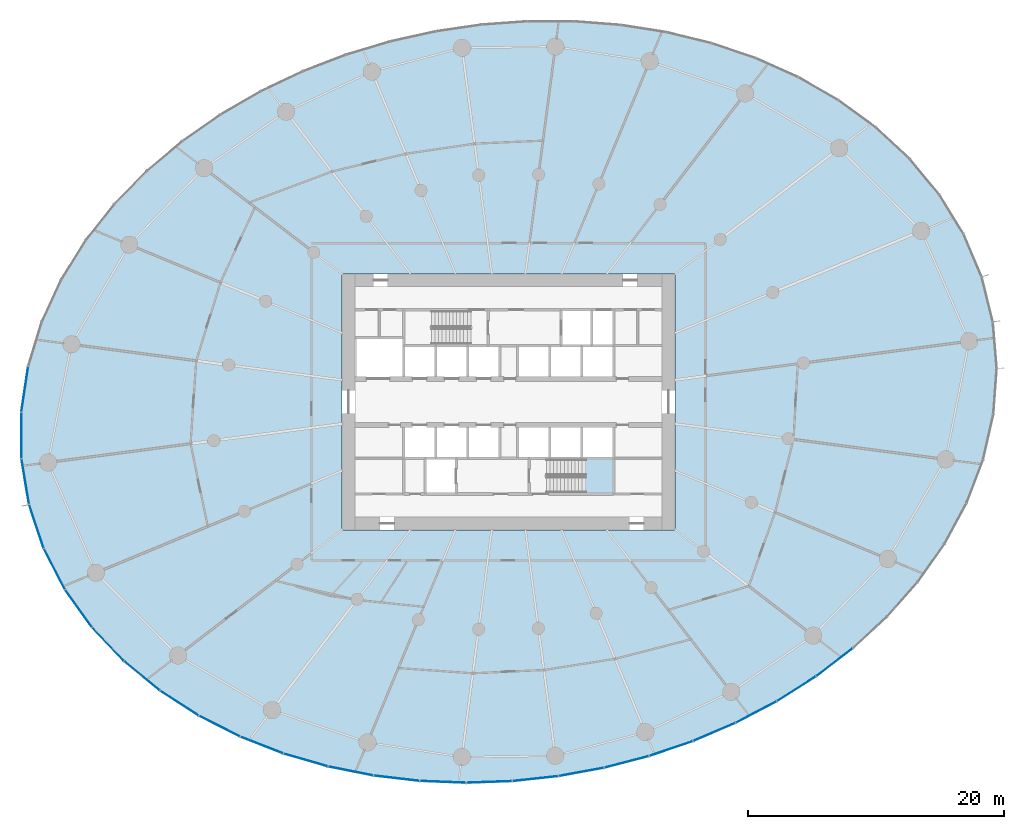
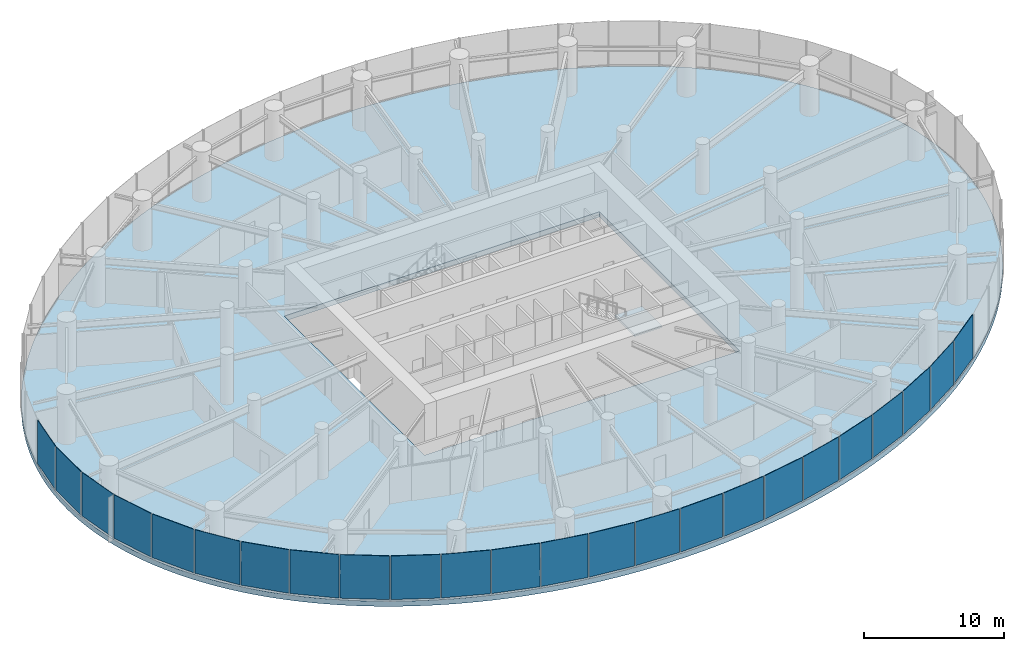
# One storey, part 10 of 19: 24 plates, 2 slabs, 6 elements without a shape of their own.
"""IFC4 building model written with IfcOpenShell, lengths in metres."""

from ifc_helpers import new_model, si_unit, direction, frame, origin, origin_2d, place, context, subcontext, project, spatial, line, indexed_curve, rectangle, outline, extrude, source, transform, mapped, material, layer, layer_set, type_object, element, aggregate, save


model = new_model("IFC4")

# Units and contexts
model_context = context("Model", 3, precision=1e-05, world=origin(), true_north=direction((0.0, 1.0)))
body_context = subcontext(model_context, "Body", "Model", "MODEL_VIEW")
ifc_project = project(units=[si_unit("LENGTHUNIT", "METRE"), si_unit("AREAUNIT", "SQUARE_METRE"), si_unit("VOLUMEUNIT", "CUBIC_METRE"), si_unit("PLANEANGLEUNIT", "RADIAN"), si_unit("MASSUNIT", "GRAM", prefix="KILO")], contexts=[model_context])

# Site, building, storey
site_placement = place(None, origin())
site = spatial("IfcSite", under=ifc_project, at=site_placement, CompositionType="ELEMENT")
building_placement = place(site_placement, origin())
building = spatial("IfcBuilding", under=site, at=building_placement, Name="Spindrift Exchange Tower", CompositionType="ELEMENT")
storey_placement = place(building_placement, frame((0.0, 0.0, 44.60009765625)))
storey = spatial("IfcBuildingStorey", under=building, at=storey_placement, Name="L10", CompositionType="ELEMENT", Elevation=44.60009765625)

# Slab
ifc_material_1 = material(Name="Concrete 50 MPa", Category="concrete")
ifc_layer_1 = layer(ifc_material_1, 0.449951171875)
ifc_layer_set_1 = layer_set([ifc_layer_1], Name="RC Floor Slab 450 Concrete 50 MPa")
slab_type_1 = type_object("IfcSlabType", Name="RC Floor Slab 450 Concrete 50 MPa", PredefinedType="FLOOR", material=ifc_layer_set_1)
slab_1_placement = place(storey_placement, frame((0.0, 0.0, -0.4501953125)))
element("IfcSlab", 1, at=slab_1_placement, inside=storey, type_object=slab_type_1, Name="Floor slab L10", PredefinedType="FLOOR", context=body_context, shape_type="SweptSolid", body=[
    extrude(outline(indexed_curve([(89.839111328125, 54.239501953125), (89.734619140625, 54.82470703125), (89.614990234375, 55.4072265625), (89.47998046875, 55.986328125), (89.330078125, 56.561767578125), (89.1650390625, 57.133056640625), (88.985595703125, 57.69970703125), (88.791259765625, 58.26171875), (88.582763671875, 58.818603515625), (88.35986328125, 59.3701171875), (88.123291015625, 59.91552734375), (87.873046875, 60.454833984375), (87.609375, 60.98779296875), (87.33251953125, 61.513916015625), (87.04296875, 62.033447265625), (86.740966796875, 62.54541015625), (86.426513671875, 63.05029296875), (86.100341796875, 63.54736328125), (85.7626953125, 64.036865234375), (85.41357421875, 64.518310546875), (85.0537109375, 64.991455078125), (84.68310546875, 65.456298828125), (84.302001953125, 65.9130859375), (83.911376953125, 66.361083984375), (83.5107421875, 66.800537109375), (83.100830078125, 67.2314453125), (82.68212890625, 67.653564453125), (82.25439453125, 68.066650390625), (81.818603515625, 68.47119140625), (81.37451171875, 68.866455078125), (80.922607421875, 69.2529296875), (80.463134765625, 69.63037109375), (79.99658203125, 69.9990234375), (79.52294921875, 70.3583984375), (79.04248046875, 70.708984375), (78.555908203125, 71.050537109375), (78.06298828125, 71.383056640625), (77.56396484375, 71.70654296875), (77.0595703125, 72.021240234375), (76.549560546875, 72.326904296875), (76.0341796875, 72.623779296875), (75.513916015625, 72.911865234375), (74.989013671875, 73.191162109375), (73.925537109375, 73.72314453125), (73.387451171875, 73.976318359375), (72.29931640625, 74.456298828125), (71.75, 74.683349609375), (70.640869140625, 75.1123046875), (69.519287109375, 75.5078125), (68.9541015625, 75.69287109375), (68.386474609375, 75.86962890625), (67.24365234375, 76.198974609375), (66.6689453125, 76.351318359375), (65.513427734375, 76.632080078125), (64.932861328125, 76.760498046875), (63.7666015625, 76.99365234375), (63.181396484375, 77.098388671875), (62.0068359375, 77.284912109375), (61.417724609375, 77.366455078125), (60.23681640625, 77.506591796875), (59.645263671875, 77.565185546875), (58.459716796875, 77.660400390625), (57.8662109375, 77.696533203125), (56.677978515625, 77.74658203125), (56.08349609375, 77.7607421875), (54.894287109375, 77.76708984375), (54.2998046875, 77.759033203125), (53.111083984375, 77.7216796875), (52.517333984375, 77.6923828125), (51.330810546875, 77.61181640625), (50.146484375, 77.5029296875), (49.5556640625, 77.437744140625), (48.3759765625, 77.286376953125), (47.200439453125, 77.10693359375), (46.029296875, 76.8994140625), (45.44580078125, 76.785400390625), (44.283203125, 76.535888671875), (43.126708984375, 76.259033203125), (42.55078125, 76.110107421875), (41.4052734375, 75.79150390625), (40.267578125, 75.4453125), (39.701904296875, 75.26171875), (38.57763671875, 74.874267578125), (38.01904296875, 74.669921875), (37.463134765625, 74.458984375), (36.359619140625, 74.01611328125), (35.267333984375, 73.545654296875), (34.725830078125, 73.300048828125), (33.65234375, 72.7880859375), (33.120849609375, 72.521484375), (32.068359375, 71.968017578125), (31.547607421875, 71.680908203125), (30.51806640625, 71.085693359375), (30.009521484375, 70.77783203125), (29.005126953125, 70.140869140625), (28.509765625, 69.81201171875), (27.533203125, 69.13330078125), (27.052490234375, 68.783447265625), (26.106201171875, 68.06298828125), (25.641357421875, 67.692138671875), (24.728759765625, 66.929931640625), (24.28125, 66.538330078125), (23.83984375, 66.139892578125), (22.9765625, 65.322021484375), (22.14013671875, 64.4765625), (21.732666015625, 64.043701171875), (21.33251953125, 63.60400390625), (20.939697265625, 63.1572265625), (20.554931640625, 62.7041015625), (20.177978515625, 62.243896484375), (19.8095703125, 61.77734375), (19.449462890625, 61.30419921875), (19.09814453125, 60.824462890625), (18.755859375, 60.33837890625), (18.422607421875, 59.845703125), (18.09912109375, 59.346923828125), (17.78515625, 58.841796875), (17.481201171875, 58.330810546875), (17.187744140625, 57.813720703125), (16.904541015625, 57.291015625), (16.63232421875, 56.76220703125), (16.37109375, 56.22802734375), (16.121337890625, 55.6884765625), (15.883056640625, 55.143798828125), (15.65673828125, 54.59375), (15.442626953125, 54.0390625), (15.240966796875, 53.479736328125), (15.052001953125, 52.916015625), (14.8759765625, 52.347900390625), (14.71337890625, 51.776123046875), (14.56396484375, 51.200439453125), (14.42822265625, 50.62158203125), (14.306640625, 50.03955078125), (14.19921875, 49.45458984375), (14.10595703125, 48.867431640625), (14.02734375, 48.278076171875), (13.96337890625, 47.68701171875), (13.91455078125, 47.09423828125), (13.880615234375, 46.500732421875), (13.86181640625, 45.906494140625), (13.8583984375, 45.311767578125), (13.8701171875, 44.71728515625), (13.8974609375, 44.123291015625), (13.940185546875, 43.5302734375), (13.998291015625, 42.9384765625), (14.072021484375, 42.348388671875), (14.160888671875, 41.760498046875), (14.265380859375, 41.17529296875), (14.385009765625, 40.5927734375), (14.52001953125, 40.013671875), (14.669921875, 39.438232421875), (14.8349609375, 38.866943359375), (15.014404296875, 38.30029296875), (15.208740234375, 37.73828125), (15.417236328125, 37.181396484375), (15.64013671875, 36.6298828125), (15.876708984375, 36.08447265625), (16.126953125, 35.545166015625), (16.390625, 35.01220703125), (16.66748046875, 34.486083984375), (16.95703125, 33.966552734375), (17.259033203125, 33.45458984375), (17.573486328125, 32.94970703125), (17.899658203125, 32.45263671875), (18.2373046875, 31.963134765625), (18.58642578125, 31.481689453125), (18.9462890625, 31.008544921875), (19.31689453125, 30.543701171875), (19.697998046875, 30.0869140625), (20.088623046875, 29.638916015625), (20.4892578125, 29.199462890625), (20.899169921875, 28.7685546875), (21.31787109375, 28.346435546875), (21.74560546875, 27.933349609375), (22.181396484375, 27.52880859375), (22.62548828125, 27.133544921875), (23.077392578125, 26.7470703125), (23.536865234375, 26.36962890625), (24.00341796875, 26.0009765625), (24.47705078125, 25.6416015625), (24.95751953125, 25.291015625), (25.444091796875, 24.949462890625), (25.93701171875, 24.616943359375), (26.43603515625, 24.29345703125), (26.9404296875, 23.978759765625), (27.450439453125, 23.673095703125), (27.9658203125, 23.376220703125), (28.486083984375, 23.088134765625), (29.010986328125, 22.808837890625), (30.074462890625, 22.27685546875), (30.612548828125, 22.023681640625), (31.70068359375, 21.543701171875), (32.25, 21.316650390625), (33.359130859375, 20.8876953125), (34.480712890625, 20.4921875), (35.0458984375, 20.30712890625), (35.613525390625, 20.13037109375), (36.75634765625, 19.801025390625), (37.3310546875, 19.648681640625), (38.486572265625, 19.367919921875), (39.067138671875, 19.239501953125), (40.2333984375, 19.00634765625), (40.818603515625, 18.901611328125), (41.9931640625, 18.715087890625), (42.582275390625, 18.633544921875), (43.76318359375, 18.493408203125), (44.354736328125, 18.434814453125), (45.540283203125, 18.339599609375), (46.1337890625, 18.303466796875), (47.322021484375, 18.25341796875), (47.91650390625, 18.2392578125), (49.105712890625, 18.23291015625), (49.7001953125, 18.240966796875), (50.888916015625, 18.2783203125), (51.482666015625, 18.3076171875), (52.669189453125, 18.38818359375), (53.853515625, 18.4970703125), (54.4443359375, 18.562255859375), (55.6240234375, 18.713623046875), (56.799560546875, 18.89306640625), (57.970703125, 19.1005859375), (58.55419921875, 19.214599609375), (59.716796875, 19.464111328125), (60.873291015625, 19.740966796875), (61.44921875, 19.889892578125), (62.5947265625, 20.20849609375), (63.732421875, 20.5546875), (64.298095703125, 20.73828125), (65.42236328125, 21.125732421875), (65.98095703125, 21.330078125), (67.090087890625, 21.759033203125), (67.640380859375, 21.98388671875), (68.732666015625, 22.454345703125), (69.274169921875, 22.699951171875), (70.34765625, 23.2119140625), (70.879150390625, 23.478515625), (71.931640625, 24.031982421875), (72.452392578125, 24.319091796875), (73.48193359375, 24.914306640625), (73.990478515625, 25.22216796875), (74.994873046875, 25.859130859375), (75.490234375, 26.18798828125), (76.466796875, 26.86669921875), (76.947509765625, 27.216552734375), (77.893798828125, 27.93701171875), (78.358642578125, 28.307861328125), (79.271240234375, 29.070068359375), (79.71875, 29.461669921875), (80.16015625, 29.860107421875), (81.0234375, 30.677978515625), (81.85986328125, 31.5234375), (82.267333984375, 31.956298828125), (82.66748046875, 32.39599609375), (83.060302734375, 32.8427734375), (83.445068359375, 33.2958984375), (83.822021484375, 33.756103515625), (84.1904296875, 34.22265625), (84.550537109375, 34.69580078125), (84.90185546875, 35.175537109375), (85.244140625, 35.66162109375), (85.577392578125, 36.154296875), (85.90087890625, 36.653076171875), (86.21484375, 37.158203125), (86.518798828125, 37.669189453125), (86.812255859375, 38.186279296875), (87.095458984375, 38.708984375), (87.36767578125, 39.23779296875), (87.62890625, 39.77197265625), (87.878662109375, 40.3115234375), (88.116943359375, 40.856201171875), (88.34326171875, 41.40625), (88.557373046875, 41.9609375), (88.759033203125, 42.520263671875), (88.947998046875, 43.083984375), (89.1240234375, 43.652099609375), (89.28662109375, 44.223876953125), (89.43603515625, 44.799560546875), (89.57177734375, 45.37841796875), (89.693359375, 45.96044921875), (89.80078125, 46.54541015625), (89.89404296875, 47.132568359375), (89.97265625, 47.721923828125), (90.03662109375, 48.31298828125), (90.08544921875, 48.90576171875), (90.119384765625, 49.499267578125), (90.13818359375, 50.093505859375), (90.1416015625, 50.688232421875), (90.1298828125, 51.28271484375), (90.1025390625, 51.876708984375), (90.059814453125, 52.4697265625), (90.001708984375, 53.0615234375), (89.927978515625, 53.651611328125)], segments=[line(1, 2, 3, 4, 5, 6, 7, 8, 9, 10, 11, 12, 13, 14, 15, 16, 17, 18, 19, 20, 21, 22, 23, 24, 25, 26, 27, 28, 29, 30, 31, 32, 33, 34, 35, 36, 37, 38, 39, 40, 41, 42, 43, 44, 45, 46, 47, 48, 49, 50, 51, 52, 53, 54, 55, 56, 57, 58, 59, 60, 61, 62, 63, 64, 65, 66, 67, 68, 69, 70, 71, 72, 73, 74, 75, 76, 77, 78, 79, 80, 81, 82, 83, 84, 85, 86, 87, 88, 89, 90, 91, 92, 93, 94, 95, 96, 97, 98, 99, 100, 101, 102, 103, 104, 105, 106, 107, 108, 109, 110, 111, 112, 113, 114, 115, 116, 117, 118, 119, 120, 121, 122, 123, 124, 125, 126, 127, 128, 129, 130, 131, 132, 133, 134, 135, 136, 137, 138, 139, 140, 141, 142, 143, 144, 145, 146, 147, 148, 149, 150, 151, 152, 153, 154, 155, 156, 157, 158, 159, 160, 161, 162, 163, 164, 165, 166, 167, 168, 169, 170, 171, 172, 173, 174, 175, 176, 177, 178, 179, 180, 181, 182, 183, 184, 185, 186, 187, 188, 189, 190, 191, 192, 193, 194, 195, 196, 197, 198, 199, 200, 201, 202, 203, 204, 205, 206, 207, 208, 209, 210, 211, 212, 213, 214, 215, 216, 217, 218, 219, 220, 221, 222, 223, 224, 225, 226, 227, 228, 229, 230, 231, 232, 233, 234, 235, 236, 237, 238, 239, 240, 241, 242, 243, 244, 245, 246, 247, 248, 249, 250, 251, 252, 253, 254, 255, 256, 257, 258, 259, 260, 261, 262, 263, 264, 265, 266, 267, 268, 269, 270, 271, 272, 273, 274, 275, 276, 277, 278, 279, 280, 281, 282, 283, 284, 285, 286, 287, 288, 289, 290, 291, 292, 1)], self_intersect=False), holes=[indexed_curve([(39.0, 38.0), (65.0, 38.0), (65.0, 58.0), (39.0, 58.0)], segments=[line(1, 2, 3, 4, 1)], self_intersect=False)]), origin(), (0.0, 0.0, 1.0), 0.4501953125),
])

# Stair, slab
stair_type = type_object("IfcStairType", Name="ST-1250-R183", PredefinedType="HALF_TURN_STAIR", material=ifc_material_1)
stair_placement = place(storey_placement, origin())
stair = element("IfcStair", 2, at=stair_placement, inside=storey, type_object=stair_type, Name="L10 Exit stair ST2", PredefinedType="HALF_TURN_STAIR")
ifc_layer_2 = layer(ifc_material_1, 0.199951171875)
ifc_layer_set_2 = layer_set([ifc_layer_2], Name="SL-LANDING")
slab_type_2 = type_object("IfcSlabType", Name="SL-LANDING", PredefinedType="LANDING", material=ifc_layer_set_2)
slab_2_placement = place(storey_placement, frame((0.0, 0.0, 2.0)))
slab_2 = element("IfcSlab", 3, at=slab_2_placement, type_object=slab_type_2, Name="ST2 landing 1", PredefinedType="LANDING", context=body_context, shape_type="SweptSolid", body=[
    extrude(outline(indexed_curve([(57.949951171875, 43.60009765625), (60.199951171875, 43.60009765625), (60.199951171875, 40.800048828125), (57.949951171875, 40.800048828125)], segments=[line(1, 2, 3, 4, 1)], self_intersect=False)), origin(), (0.0, 0.0, 1.0), 0.199951171875),
])
aggregate(stair, [slab_2])

# Curtain wall, plate
ifc_material_2 = material(Name="Fritted laminated glass with bronze frame", Category="glass")
ifc_layer_3 = layer(ifc_material_2, 0.199951171875)
ifc_layer_set_3 = layer_set([ifc_layer_3], Name="ZONE 1 BRONZE FRITTED WALL")
curtain_wall_type = type_object("IfcCurtainWallType", Name="ZONE 1 BRONZE FRITTED WALL", PredefinedType="NOTDEFINED", material=ifc_layer_set_3)
curtain_wall_1_placement = place(storey_placement, origin())
curtain_wall_1 = element("IfcCurtainWall", 4, at=curtain_wall_1_placement, inside=storey, type_object=curtain_wall_type, Name="L10 Zone 1 Bronze Fritted Wall run 6", PredefinedType="NOTDEFINED")
ifc_material_3 = material(Name="Bronze fritted laminated glass, dense frit", Category="glass")
ifc_layer_4 = layer(ifc_material_3, 0.035888671875)
ifc_layer_set_4 = layer_set([ifc_layer_4], Name="ZONE 1 BRONZE FRITTED WALL PANEL DENSE FRIT 180")
plate_type_1 = type_object("IfcPlateType", Name="ZONE 1 BRONZE FRITTED WALL PANEL DENSE FRIT 180", PredefinedType="CURTAIN_PANEL", material=ifc_layer_set_4)
shared_shape_1 = source(origin(), body_context, "Body", "SweptSolid", [
    extrude(rectangle(XDim=3.5458984375, YDim=0.035888671875, at=origin_2d()), origin(), (0.0, 0.0, 1.0), 3.800048828125),
])
plate_1_placement = place(storey_placement, frame((23.344482421875, 26.595703125, 0.14990234375), z_axis=(0.0, 0.0, 1.0), x_axis=(0.772472063913, -0.635048746533, 0.0)))
plate_1 = element("IfcPlate", 5, at=plate_1_placement, type_object=plate_type_1, Name="L10 panel CW-1.35", PredefinedType="CURTAIN_PANEL", context=body_context, shape_type="MappedRepresentation", body=[
    mapped(shared_shape_1, transform((0.0, 0.0, 0.0), scale=1.0)),
])

curtain_wall_2_placement = place(storey_placement, origin())
curtain_wall_2 = element("IfcCurtainWall", 6, at=curtain_wall_2_placement, inside=storey, type_object=curtain_wall_type, Name="L10 Zone 1 Bronze Fritted Wall run 9", PredefinedType="NOTDEFINED")
ifc_layer_5 = layer(ifc_material_3, 0.035888671875)
ifc_layer_set_5 = layer_set([ifc_layer_5], Name="ZONE 1 BRONZE FRITTED WALL PANEL DENSE FRIT 420")
plate_type_2 = type_object("IfcPlateType", Name="ZONE 1 BRONZE FRITTED WALL PANEL DENSE FRIT 420", PredefinedType="CURTAIN_PANEL", material=ifc_layer_set_5)
shared_shape_2 = source(origin(), body_context, "Body", "SweptSolid", [
    extrude(rectangle(XDim=3.547119140625, YDim=0.035888671875, at=origin_2d()), origin(), (0.0, 0.0, 1.0), 3.800048828125),
])
plate_2_placement = place(storey_placement, frame((77.46240234375, 27.65478515625, 0.14990234375), z_axis=(0.0, 0.0, 1.0), x_axis=(0.794189831146, 0.607669739335, 0.0)))
plate_2 = element("IfcPlate", 7, at=plate_2_placement, type_object=plate_type_2, Name="L10 panel CW-1.51", PredefinedType="CURTAIN_PANEL", context=body_context, shape_type="MappedRepresentation", body=[
    mapped(shared_shape_2, transform((0.0, 0.0, 0.0), scale=1.0)),
])

curtain_wall_3_placement = place(storey_placement, origin())
curtain_wall_3 = element("IfcCurtainWall", 8, at=curtain_wall_3_placement, inside=storey, type_object=curtain_wall_type, Name="L10 Zone 1 Bronze Fritted Wall run 7", PredefinedType="NOTDEFINED")
ifc_layer_6 = layer(ifc_material_3, 0.035888671875)
ifc_layer_set_6 = layer_set([ifc_layer_6], Name="ZONE 1 BRONZE FRITTED WALL PANEL DENSE FRIT 300")
plate_type_3 = type_object("IfcPlateType", Name="ZONE 1 BRONZE FRITTED WALL PANEL DENSE FRIT 300", PredefinedType="CURTAIN_PANEL", material=ifc_layer_set_6)
shared_shape_3 = source(origin(), body_context, "Body", "SweptSolid", [
    extrude(rectangle(XDim=3.547119140625, YDim=0.035888671875, at=origin_2d()), origin(), (0.0, 0.0, 1.0), 3.800048828125),
])
plate_3_placement = place(storey_placement, frame((39.666748046875, 19.153564453125, 0.14990234375), z_axis=(0.0, 0.0, 1.0), x_axis=(0.980610212417, -0.195968393633, 0.0)))
plate_3 = element("IfcPlate", 9, at=plate_3_placement, type_object=plate_type_3, Name="L10 panel CW-1.40", PredefinedType="CURTAIN_PANEL", context=body_context, shape_type="MappedRepresentation", body=[
    mapped(shared_shape_3, transform((0.0, 0.0, 0.0), scale=1.0)),
])

# Curtain wall, plates
curtain_wall_4_placement = place(storey_placement, origin())
curtain_wall_4 = element("IfcCurtainWall", 10, at=curtain_wall_4_placement, inside=storey, type_object=curtain_wall_type, Name="L10 Zone 1 Bronze Fritted Wall run 8", PredefinedType="NOTDEFINED")
shared_shape_4 = source(origin(), body_context, "Body", "SweptSolid", [
    extrude(rectangle(XDim=3.54736328125, YDim=0.035888671875, at=origin_2d()), origin(), (0.0, 0.0, 1.0), 3.800048828125),
])
plate_4_placement = place(storey_placement, frame((61.226318359375, 19.865966796875, 0.14990234375), z_axis=(0.0, 0.0, 1.0), x_axis=(0.967740399078, 0.251949439358, 0.0)))
plate_4 = element("IfcPlate", 11, at=plate_4_placement, type_object=plate_type_3, Name="L10 panel CW-1.46", PredefinedType="CURTAIN_PANEL", context=body_context, shape_type="MappedRepresentation", body=[
    mapped(shared_shape_4, transform((0.0, 0.0, 0.0), scale=1.0)),
])
plate_5_placement = place(storey_placement, frame((68.08154296875, 22.2080078125, 0.14990234375), z_axis=(0.0, 0.0, 1.0), x_axis=(0.919223323785, 0.393736562956, 0.0)))
plate_5 = element("IfcPlate", 12, at=plate_5_placement, type_object=plate_type_3, Name="L10 panel CW-1.48", PredefinedType="CURTAIN_PANEL", context=body_context, shape_type="MappedRepresentation", body=[
    mapped(shared_shape_4, transform((0.0, 0.0, 0.0), scale=1.0)),
])

# Plate
plate_6_placement = place(storey_placement, frame((71.3544921875, 23.76513671875, 0.14990234375), z_axis=(0.0, 0.0, 1.0), x_axis=(0.885425264498, 0.464781777815, 0.0)))
plate_6 = element("IfcPlate", 13, at=plate_6_placement, type_object=plate_type_3, Name="L10 panel CW-1.49", PredefinedType="CURTAIN_PANEL", context=body_context, shape_type="MappedRepresentation", body=[
    mapped(shared_shape_4, transform((0.0, 0.0, 0.0), scale=1.0)),
])

shared_shape_5 = source(origin(), body_context, "Body", "SweptSolid", [
    extrude(rectangle(XDim=3.54736328125, YDim=0.035888671875, at=origin_2d()), origin(), (0.0, 0.0, 1.0), 3.800048828125),
])
plate_7_placement = place(storey_placement, frame((43.246337890625, 18.5869140625, 0.14990234375), z_axis=(0.0, 0.0, 1.0), x_axis=(0.993186930165, -0.11653206318, 0.0)))
plate_7 = element("IfcPlate", 14, at=plate_7_placement, type_object=plate_type_1, Name="L10 panel CW-1.41", PredefinedType="CURTAIN_PANEL", context=body_context, shape_type="MappedRepresentation", body=[
    mapped(shared_shape_5, transform((0.0, 0.0, 0.0), scale=1.0)),
])

plate_8_placement = place(storey_placement, frame((50.484619140625, 18.2958984375, 0.14990234375), z_axis=(0.0, 0.0, 1.0), x_axis=(0.999377229734, 0.035286721135, 0.0)))
plate_8 = element("IfcPlate", 15, at=plate_8_placement, type_object=plate_type_1, Name="L10 panel CW-1.43", PredefinedType="CURTAIN_PANEL", context=body_context, shape_type="MappedRepresentation", body=[
    mapped(shared_shape_5, transform((0.0, 0.0, 0.0), scale=1.0)),
])

shared_shape_6 = source(origin(), body_context, "Body", "SweptSolid", [
    extrude(rectangle(XDim=3.54736328125, YDim=0.035888671875, at=origin_2d()), origin(), (0.0, 0.0, 1.0), 3.800048828125),
])
plate_9_placement = place(storey_placement, frame((46.85986328125, 18.3037109375, 0.14990234375), z_axis=(0.0, 0.0, 1.0), x_axis=(0.999216100445, -0.039587682569, 0.0)))
plate_9 = element("IfcPlate", 16, at=plate_9_placement, type_object=plate_type_2, Name="L10 panel CW-1.42", PredefinedType="CURTAIN_PANEL", context=body_context, shape_type="MappedRepresentation", body=[
    mapped(shared_shape_6, transform((0.0, 0.0, 0.0), scale=1.0)),
])

plate_10_placement = place(storey_placement, frame((54.100341796875, 18.556884765625, 0.14990234375), z_axis=(0.0, 0.0, 1.0), x_axis=(0.994092764048, 0.108533757269, 0.0)))
plate_10 = element("IfcPlate", 17, at=plate_10_placement, type_object=plate_type_2, Name="L10 panel CW-1.44", PredefinedType="CURTAIN_PANEL", context=body_context, shape_type="MappedRepresentation", body=[
    mapped(shared_shape_6, transform((0.0, 0.0, 0.0), scale=1.0)),
])

plate_11_placement = place(storey_placement, frame((64.697998046875, 20.908447265625, 0.14990234375), z_axis=(0.0, 0.0, 1.0), x_axis=(0.946440952638, 0.322876947411, 0.0)))
plate_11 = element("IfcPlate", 18, at=plate_11_placement, type_object=plate_type_2, Name="L10 panel CW-1.47", PredefinedType="CURTAIN_PANEL", context=body_context, shape_type="MappedRepresentation", body=[
    mapped(shared_shape_6, transform((0.0, 0.0, 0.0), scale=1.0)),
])

shared_shape_7 = source(origin(), body_context, "Body", "SweptSolid", [
    extrude(rectangle(XDim=3.547119140625, YDim=0.035888671875, at=origin_2d()), origin(), (0.0, 0.0, 1.0), 3.800048828125),
])
plate_12_placement = place(storey_placement, frame((36.146240234375, 20.013671875, 0.14990234375), z_axis=(0.0, 0.0, 1.0), x_axis=(0.960519792471, -0.278211660918, 0.0)))
plate_12 = element("IfcPlate", 19, at=plate_12_placement, type_object=plate_type_1, Name="L10 panel CW-1.39", PredefinedType="CURTAIN_PANEL", context=body_context, shape_type="MappedRepresentation", body=[
    mapped(shared_shape_7, transform((0.0, 0.0, 0.0), scale=1.0)),
])

plate_13_placement = place(storey_placement, frame((74.491455078125, 25.580322265625, 0.14990234375), z_axis=(0.0, 0.0, 1.0), x_axis=(0.844138028093, 0.536125908278, 0.0)))
plate_13 = element("IfcPlate", 20, at=plate_13_placement, type_object=plate_type_1, Name="L10 panel CW-1.50", PredefinedType="CURTAIN_PANEL", context=body_context, shape_type="MappedRepresentation", body=[
    mapped(shared_shape_7, transform((0.0, 0.0, 0.0), scale=1.0)),
])

aggregate(curtain_wall_2, [plate_6, plate_13, plate_2])

shared_shape_8 = source(origin(), body_context, "Body", "SweptSolid", [
    extrude(rectangle(XDim=3.546875, YDim=0.035888671875, at=origin_2d()), origin(), (0.0, 0.0, 1.0), 3.800048828125),
])
plate_14_placement = place(storey_placement, frame((32.715087890625, 21.177490234375, 0.14990234375), z_axis=(0.0, 0.0, 1.0), x_axis=(0.931570083157, -0.363561796903, 0.0)))
plate_14 = element("IfcPlate", 21, at=plate_14_placement, type_object=plate_type_2, Name="L10 panel CW-1.38", PredefinedType="CURTAIN_PANEL", context=body_context, shape_type="MappedRepresentation", body=[
    mapped(shared_shape_8, transform((0.0, 0.0, 0.0), scale=1.0)),
])

# Curtain wall, plates
curtain_wall_5_placement = place(storey_placement, origin())
curtain_wall_5 = element("IfcCurtainWall", 22, at=curtain_wall_5_placement, inside=storey, type_object=curtain_wall_type, Name="L10 Zone 1 Bronze Fritted Wall run 5", PredefinedType="NOTDEFINED")
shared_shape_9 = source(origin(), body_context, "Body", "SweptSolid", [
    extrude(rectangle(XDim=3.54443359375, YDim=0.035888671875, at=origin_2d()), origin(), (0.0, 0.0, 1.0), 3.800048828125),
])
plate_15_placement = place(storey_placement, frame((14.232421875, 41.7724609375, 0.14990234375), z_axis=(0.0, 0.0, 1.0), x_axis=(0.162702604327, -0.986675155533, 0.0)))
plate_15 = element("IfcPlate", 23, at=plate_15_placement, type_object=plate_type_2, Name="L10 panel CW-1.30", PredefinedType="CURTAIN_PANEL", context=body_context, shape_type="MappedRepresentation", body=[
    mapped(shared_shape_9, transform((0.0, 0.0, 0.0), scale=1.0)),
])
shared_shape_10 = source(origin(), body_context, "Body", "SweptSolid", [
    extrude(rectangle(XDim=3.54443359375, YDim=0.035888671875, at=origin_2d()), origin(), (0.0, 0.0, 1.0), 3.800048828125),
])
plate_16_placement = place(storey_placement, frame((13.92919921875, 45.37255859375, 0.14990234375), z_axis=(0.0, 0.0, 1.0), x_axis=(0.004551802971, -0.999989640491, 0.0)))
plate_16 = element("IfcPlate", 24, at=plate_16_placement, type_object=plate_type_3, Name="L10 panel CW-1.29", PredefinedType="CURTAIN_PANEL", context=body_context, shape_type="MappedRepresentation", body=[
    mapped(shared_shape_10, transform((0.0, 0.0, 0.0), scale=1.0)),
])

# Plate
plate_17_placement = place(storey_placement, frame((15.101318359375, 38.265380859375, 0.14990234375), z_axis=(0.0, 0.0, 1.0), x_axis=(0.316731921176, -0.948515097459, 0.0)))
plate_17 = element("IfcPlate", 25, at=plate_17_placement, type_object=plate_type_3, Name="L10 panel CW-1.31", PredefinedType="CURTAIN_PANEL", context=body_context, shape_type="MappedRepresentation", body=[
    mapped(shared_shape_10, transform((0.0, 0.0, 0.0), scale=1.0)),
])

shared_shape_11 = source(origin(), body_context, "Body", "SweptSolid", [
    extrude(rectangle(XDim=3.544921875, YDim=0.035888671875, at=origin_2d()), origin(), (0.0, 0.0, 1.0), 3.800048828125),
])
plate_18_placement = place(storey_placement, frame((14.19140625, 48.97705078125, 0.14990234375), z_axis=(0.0, 0.0, 1.0), x_axis=(-0.149083193001, -0.988824656633, 0.0)))
plate_18 = element("IfcPlate", 26, at=plate_18_placement, type_object=plate_type_2, Name="L10 panel CW-1.28", PredefinedType="CURTAIN_PANEL", context=body_context, shape_type="MappedRepresentation", body=[
    mapped(shared_shape_11, transform((0.0, 0.0, 0.0), scale=1.0)),
])

aggregate(curtain_wall_5, [plate_18, plate_16, plate_15])

shared_shape_12 = source(origin(), body_context, "Body", "SweptSolid", [
    extrude(rectangle(XDim=3.545166015625, YDim=0.035888671875, at=origin_2d()), origin(), (0.0, 0.0, 1.0), 3.800048828125),
])
plate_19_placement = place(storey_placement, frame((18.39453125, 31.852783203125, 0.14990234375), z_axis=(0.0, 0.0, 1.0), x_axis=(0.583010997002, -0.812464262214, 0.0)))
plate_19 = element("IfcPlate", 27, at=plate_19_placement, type_object=plate_type_3, Name="L10 panel CW-1.33", PredefinedType="CURTAIN_PANEL", context=body_context, shape_type="MappedRepresentation", body=[
    mapped(shared_shape_12, transform((0.0, 0.0, 0.0), scale=1.0)),
])

shared_shape_13 = source(origin(), body_context, "Body", "SweptSolid", [
    extrude(rectangle(XDim=3.54638671875, YDim=0.035888671875, at=origin_2d()), origin(), (0.0, 0.0, 1.0), 3.800048828125),
])
plate_20_placement = place(storey_placement, frame((26.267578125, 24.460205078125, 0.14990234375), z_axis=(0.0, 0.0, 1.0), x_axis=(0.839823629342, -0.542859347897, 0.0)))
plate_20 = element("IfcPlate", 28, at=plate_20_placement, type_object=plate_type_1, Name="L10 panel CW-1.36", PredefinedType="CURTAIN_PANEL", context=body_context, shape_type="MappedRepresentation", body=[
    mapped(shared_shape_13, transform((0.0, 0.0, 0.0), scale=1.0)),
])

shared_shape_14 = source(origin(), body_context, "Body", "SweptSolid", [
    extrude(rectangle(XDim=3.546630859375, YDim=0.035888671875, at=origin_2d()), origin(), (0.0, 0.0, 1.0), 3.800048828125),
])
plate_21_placement = place(storey_placement, frame((29.408203125, 22.65625, 0.14990234375), z_axis=(0.0, 0.0, 1.0), x_axis=(0.892042978601, -0.451950577307, 0.0)))
plate_21 = element("IfcPlate", 29, at=plate_21_placement, type_object=plate_type_2, Name="L10 panel CW-1.37", PredefinedType="CURTAIN_PANEL", context=body_context, shape_type="MappedRepresentation", body=[
    mapped(shared_shape_14, transform((0.0, 0.0, 0.0), scale=1.0)),
])

aggregate(curtain_wall_3, [plate_21, plate_14, plate_12, plate_3, plate_7, plate_9])

shared_shape_15 = source(origin(), body_context, "Body", "SweptSolid", [
    extrude(rectangle(XDim=3.544921875, YDim=0.035888671875, at=origin_2d()), origin(), (0.0, 0.0, 1.0), 3.800048828125),
])
plate_22_placement = place(storey_placement, frame((16.506591796875, 34.935791015625, 0.14990234375), z_axis=(0.0, 0.0, 1.0), x_axis=(0.458675920086, -0.888603623858, 0.0)))
plate_22 = element("IfcPlate", 30, at=plate_22_placement, type_object=plate_type_3, Name="L10 panel CW-1.32", PredefinedType="CURTAIN_PANEL", context=body_context, shape_type="MappedRepresentation", body=[
    mapped(shared_shape_15, transform((0.0, 0.0, 0.0), scale=1.0)),
])

shared_shape_16 = source(origin(), body_context, "Body", "SweptSolid", [
    extrude(rectangle(XDim=3.547607421875, YDim=0.035888671875, at=origin_2d()), origin(), (0.0, 0.0, 1.0), 3.800048828125),
])
plate_23_placement = place(storey_placement, frame((57.687255859375, 19.081298828125, 0.14990234375), z_axis=(0.0, 0.0, 1.0), x_axis=(0.983547517194, 0.180649609523, 0.0)))
plate_23 = element("IfcPlate", 31, at=plate_23_placement, type_object=plate_type_2, Name="L10 panel CW-1.45", PredefinedType="CURTAIN_PANEL", context=body_context, shape_type="MappedRepresentation", body=[
    mapped(shared_shape_16, transform((0.0, 0.0, 0.0), scale=1.0)),
])

aggregate(curtain_wall_4, [plate_8, plate_10, plate_23, plate_4, plate_11, plate_5])

shared_shape_17 = source(origin(), body_context, "Body", "SweptSolid", [
    extrude(rectangle(XDim=3.545654296875, YDim=0.035888671875, at=origin_2d()), origin(), (0.0, 0.0, 1.0), 3.800048828125),
])
plate_24_placement = place(storey_placement, frame((20.69775390625, 29.063720703125, 0.14990234375), z_axis=(0.0, 0.0, 1.0), x_axis=(0.687480524946, -0.726202814523, 0.0)))
plate_24 = element("IfcPlate", 32, at=plate_24_placement, type_object=plate_type_2, Name="L10 panel CW-1.34", PredefinedType="CURTAIN_PANEL", context=body_context, shape_type="MappedRepresentation", body=[
    mapped(shared_shape_17, transform((0.0, 0.0, 0.0), scale=1.0)),
])

aggregate(curtain_wall_1, [plate_17, plate_22, plate_19, plate_24, plate_1, plate_20])

save(model, "model.ifc")
